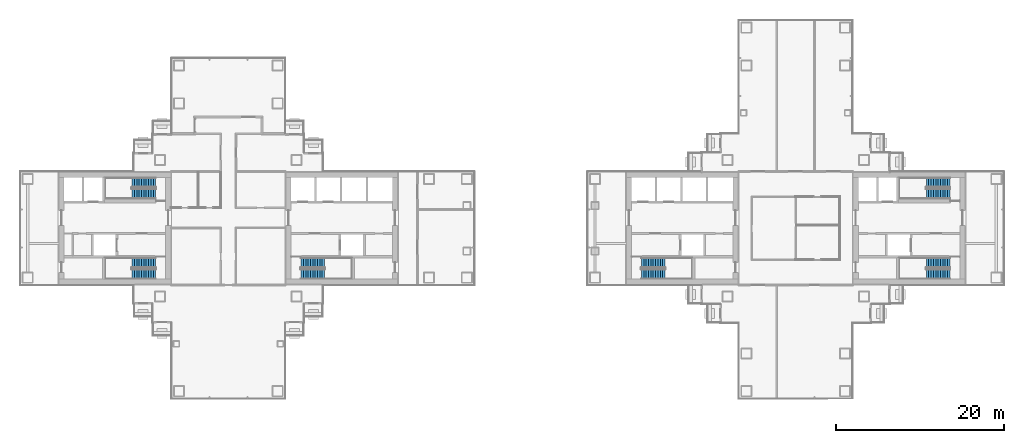
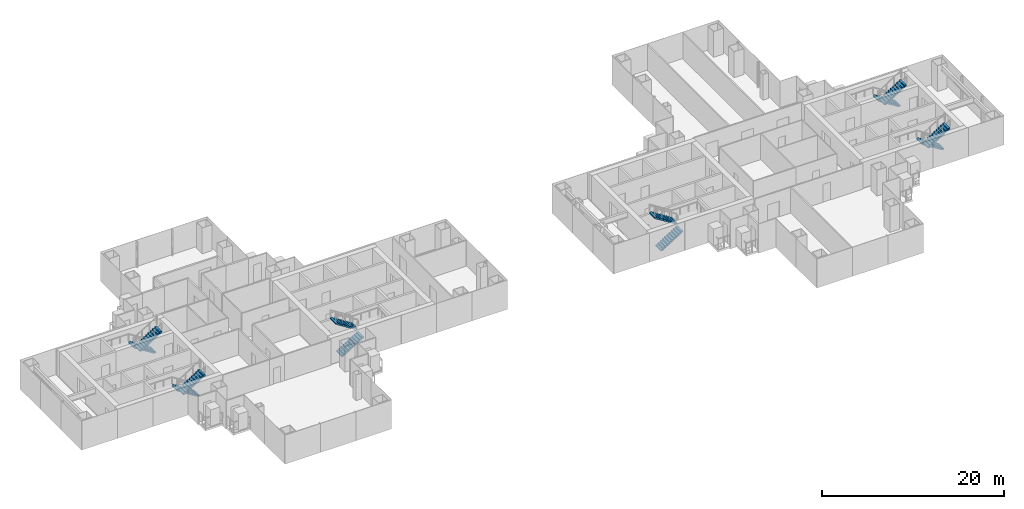
# One storey, part 17 of 20: 12 stair flights, 6 elements without a shape of their own.
"""IFC4 building model written with IfcOpenShell, lengths in metres."""

from ifc_helpers import new_model, si_unit, direction, frame, origin, place, context, subcontext, project, spatial, polyline, outline, extrude, material, type_object, element, aggregate, save


model = new_model("IFC4")

# Units and contexts
model_context = context("Model", 3, precision=1e-05, world=origin(), true_north=direction((0.0, 1.0)))
body_context = subcontext(model_context, "Body", "Model", "MODEL_VIEW")
ifc_project = project(units=[si_unit("LENGTHUNIT", "METRE"), si_unit("AREAUNIT", "SQUARE_METRE"), si_unit("VOLUMEUNIT", "CUBIC_METRE"), si_unit("PLANEANGLEUNIT", "RADIAN"), si_unit("MASSUNIT", "GRAM", prefix="KILO")], contexts=[model_context])

# Site, building, storey
site_placement = place(None, origin())
site = spatial("IfcSite", under=ifc_project, at=site_placement, CompositionType="ELEMENT")
building_placement = place(site_placement, origin())
building = spatial("IfcBuilding", under=site, at=building_placement, Name="Shamsa Quay Exchange Towers", CompositionType="ELEMENT")
storey_placement = place(building_placement, frame((0.0, 0.0, 124.800048828125)))
storey = spatial("IfcBuildingStorey", under=building, at=storey_placement, Name="L29", CompositionType="ELEMENT", Elevation=124.800048828125)

# Stair, stair flights
ifc_material = material(Name="Concrete C40/50", Category="concrete")
stair_type = type_object("IfcStairType", Name="EXIT STAIR 22 RISERS 177 MM", PredefinedType="HALF_TURN_STAIR", material=ifc_material)
stair_1_placement = place(storey_placement, origin())
stair_1 = element("IfcStair", 1, at=stair_1_placement, inside=storey, type_object=stair_type, Name="L29 Exit stair ST1", PredefinedType="HALF_TURN_STAIR")
stair_flight_type = type_object("IfcStairFlightType", Name="EXIT STAIR FLIGHT 11 RISERS 177 MM", PredefinedType="STRAIGHT", material=ifc_material)
stair_flight_1_placement = place(storey_placement, frame((-25.10009765625, -5.449951171875, 0.0)))
stair_flight_1 = element("IfcStairFlight", 2, at=stair_flight_1_placement, type_object=stair_flight_type, Name="ST1 flight 1", NumberOfRisers=11, NumberOfTreads=10, PredefinedType="STRAIGHT", RiserHeight=0.177272727, TreadLength=0.28, context=body_context, shape_type="SweptSolid", body=[
    extrude(outline(polyline([(0.0, 0.0), (0.0, 0.17724609375), (0.280029296875, 0.17724609375), (0.280029296875, 0.3544921875), (0.56005859375, 0.3544921875), (0.56005859375, 0.53173828125), (0.840087890625, 0.53173828125), (0.840087890625, 0.708984375), (1.1201171875, 0.708984375), (1.1201171875, 0.886474609375), (1.39990234375, 0.886474609375), (1.39990234375, 1.063720703125), (1.679931640625, 1.063720703125), (1.679931640625, 1.240966796875), (1.9599609375, 1.240966796875), (1.9599609375, 1.418212890625), (2.239990234375, 1.418212890625), (2.239990234375, 1.595458984375), (2.52001953125, 1.595458984375), (2.52001953125, 1.772705078125), (2.800048828125, 1.772705078125), (2.800048828125, 1.949951171875), (2.800048828125, 1.607177734375), (0.261474609375, 0.0), (0.0, 0.0)])), frame((0.0, 0.60009765625, 0.0), z_axis=(0.0, -1.0, 0.0), x_axis=(1.0, 0.0, 0.0)), (0.0, 0.0, 1.0), 1.199951171875),
])
stair_flight_2_placement = place(storey_placement, frame((-22.300048828125, -4.10009765625, 1.949951171875), z_axis=(0.0, 0.0, 1.0), x_axis=(-1.0, 0.0, 0.0)))
stair_flight_2 = element("IfcStairFlight", 3, at=stair_flight_2_placement, type_object=stair_flight_type, Name="ST1 flight 2", NumberOfRisers=11, NumberOfTreads=10, PredefinedType="STRAIGHT", RiserHeight=0.177272727, TreadLength=0.28, context=body_context, shape_type="SweptSolid", body=[
    extrude(outline(polyline([(0.0, 0.0), (0.0, 0.17724609375), (0.280029296875, 0.17724609375), (0.280029296875, 0.3544921875), (0.56005859375, 0.3544921875), (0.56005859375, 0.53173828125), (0.840087890625, 0.53173828125), (0.840087890625, 0.708984375), (1.1201171875, 0.708984375), (1.1201171875, 0.886474609375), (1.39990234375, 0.886474609375), (1.39990234375, 1.063720703125), (1.679931640625, 1.063720703125), (1.679931640625, 1.240966796875), (1.9599609375, 1.240966796875), (1.9599609375, 1.418212890625), (2.239990234375, 1.418212890625), (2.239990234375, 1.595458984375), (2.52001953125, 1.595458984375), (2.52001953125, 1.772705078125), (2.800048828125, 1.772705078125), (2.800048828125, 1.949951171875), (2.800048828125, 1.607177734375), (0.261474609375, 0.0), (0.0, 0.0)])), frame((0.0, 0.60009765625, 0.0), z_axis=(0.0, -1.0, 0.0), x_axis=(1.0, 0.0, 0.0)), (0.0, 0.0, 1.0), 1.199951171875),
])
aggregate(stair_1, [stair_flight_1, stair_flight_2])

stair_2_placement = place(storey_placement, origin())
stair_2 = element("IfcStair", 4, at=stair_2_placement, inside=storey, type_object=stair_type, Name="L29 Exit stair ST2", PredefinedType="HALF_TURN_STAIR")
stair_flight_3_placement = place(storey_placement, frame((-42.39990234375, -4.10009765625, 0.0), z_axis=(0.0, 0.0, 1.0), x_axis=(-1.0, 0.0, 0.0)))
stair_flight_3 = element("IfcStairFlight", 5, at=stair_flight_3_placement, type_object=stair_flight_type, Name="ST2 flight 1", NumberOfRisers=11, NumberOfTreads=10, PredefinedType="STRAIGHT", RiserHeight=0.177272727, TreadLength=0.28, context=body_context, shape_type="SweptSolid", body=[
    extrude(outline(polyline([(0.0, 0.0), (0.0, 0.17724609375), (0.280029296875, 0.17724609375), (0.280029296875, 0.3544921875), (0.56005859375, 0.3544921875), (0.56005859375, 0.53173828125), (0.840087890625, 0.53173828125), (0.840087890625, 0.708984375), (1.1201171875, 0.708984375), (1.1201171875, 0.886474609375), (1.39990234375, 0.886474609375), (1.39990234375, 1.063720703125), (1.679931640625, 1.063720703125), (1.679931640625, 1.240966796875), (1.9599609375, 1.240966796875), (1.9599609375, 1.418212890625), (2.239990234375, 1.418212890625), (2.239990234375, 1.595458984375), (2.52001953125, 1.595458984375), (2.52001953125, 1.772705078125), (2.800048828125, 1.772705078125), (2.800048828125, 1.949951171875), (2.800048828125, 1.607177734375), (0.261474609375, 0.0), (0.0, 0.0)])), frame((0.0, 0.60009765625, 0.0), z_axis=(0.0, -1.0, 0.0), x_axis=(1.0, 0.0, 0.0)), (0.0, 0.0, 1.0), 1.199951171875),
])
stair_flight_4_placement = place(storey_placement, frame((-45.199951171875, -5.449951171875, 1.949951171875)))
stair_flight_4 = element("IfcStairFlight", 6, at=stair_flight_4_placement, type_object=stair_flight_type, Name="ST2 flight 2", NumberOfRisers=11, NumberOfTreads=10, PredefinedType="STRAIGHT", RiserHeight=0.177272727, TreadLength=0.28, context=body_context, shape_type="SweptSolid", body=[
    extrude(outline(polyline([(0.0, 0.0), (0.0, 0.17724609375), (0.280029296875, 0.17724609375), (0.280029296875, 0.3544921875), (0.56005859375, 0.3544921875), (0.56005859375, 0.53173828125), (0.840087890625, 0.53173828125), (0.840087890625, 0.708984375), (1.1201171875, 0.708984375), (1.1201171875, 0.886474609375), (1.39990234375, 0.886474609375), (1.39990234375, 1.063720703125), (1.679931640625, 1.063720703125), (1.679931640625, 1.240966796875), (1.9599609375, 1.240966796875), (1.9599609375, 1.418212890625), (2.239990234375, 1.418212890625), (2.239990234375, 1.595458984375), (2.52001953125, 1.595458984375), (2.52001953125, 1.772705078125), (2.800048828125, 1.772705078125), (2.800048828125, 1.949951171875), (2.800048828125, 1.607177734375), (0.261474609375, 0.0), (0.0, 0.0)])), frame((0.0, 0.60009765625, 0.0), z_axis=(0.0, -1.0, 0.0), x_axis=(1.0, 0.0, 0.0)), (0.0, 0.0, 1.0), 1.199951171875),
])
aggregate(stair_2, [stair_flight_3, stair_flight_4])

stair_3_placement = place(storey_placement, origin())
stair_3 = element("IfcStair", 7, at=stair_3_placement, inside=storey, type_object=stair_type, Name="L29 Exit stair ST3", PredefinedType="HALF_TURN_STAIR")
stair_flight_5_placement = place(storey_placement, frame((-42.39990234375, 5.449951171875, 0.0), z_axis=(0.0, 0.0, 1.0), x_axis=(-1.0, 0.0, 0.0)))
stair_flight_5 = element("IfcStairFlight", 8, at=stair_flight_5_placement, type_object=stair_flight_type, Name="ST3 flight 1", NumberOfRisers=11, NumberOfTreads=10, PredefinedType="STRAIGHT", RiserHeight=0.177272727, TreadLength=0.28, context=body_context, shape_type="SweptSolid", body=[
    extrude(outline(polyline([(0.0, 0.0), (0.0, 0.17724609375), (0.280029296875, 0.17724609375), (0.280029296875, 0.3544921875), (0.56005859375, 0.3544921875), (0.56005859375, 0.53173828125), (0.840087890625, 0.53173828125), (0.840087890625, 0.708984375), (1.1201171875, 0.708984375), (1.1201171875, 0.886474609375), (1.39990234375, 0.886474609375), (1.39990234375, 1.063720703125), (1.679931640625, 1.063720703125), (1.679931640625, 1.240966796875), (1.9599609375, 1.240966796875), (1.9599609375, 1.418212890625), (2.239990234375, 1.418212890625), (2.239990234375, 1.595458984375), (2.52001953125, 1.595458984375), (2.52001953125, 1.772705078125), (2.800048828125, 1.772705078125), (2.800048828125, 1.949951171875), (2.800048828125, 1.607177734375), (0.261474609375, 0.0), (0.0, 0.0)])), frame((0.0, 0.60009765625, 0.0), z_axis=(0.0, -1.0, 0.0), x_axis=(1.0, 0.0, 0.0)), (0.0, 0.0, 1.0), 1.199951171875),
])
stair_flight_6_placement = place(storey_placement, frame((-45.199951171875, 4.10009765625, 1.949951171875)))
stair_flight_6 = element("IfcStairFlight", 9, at=stair_flight_6_placement, type_object=stair_flight_type, Name="ST3 flight 2", NumberOfRisers=11, NumberOfTreads=10, PredefinedType="STRAIGHT", RiserHeight=0.177272727, TreadLength=0.28, context=body_context, shape_type="SweptSolid", body=[
    extrude(outline(polyline([(0.0, 0.0), (0.0, 0.17724609375), (0.280029296875, 0.17724609375), (0.280029296875, 0.3544921875), (0.56005859375, 0.3544921875), (0.56005859375, 0.53173828125), (0.840087890625, 0.53173828125), (0.840087890625, 0.708984375), (1.1201171875, 0.708984375), (1.1201171875, 0.886474609375), (1.39990234375, 0.886474609375), (1.39990234375, 1.063720703125), (1.679931640625, 1.063720703125), (1.679931640625, 1.240966796875), (1.9599609375, 1.240966796875), (1.9599609375, 1.418212890625), (2.239990234375, 1.418212890625), (2.239990234375, 1.595458984375), (2.52001953125, 1.595458984375), (2.52001953125, 1.772705078125), (2.800048828125, 1.772705078125), (2.800048828125, 1.949951171875), (2.800048828125, 1.607177734375), (0.261474609375, 0.0), (0.0, 0.0)])), frame((0.0, 0.60009765625, 0.0), z_axis=(0.0, -1.0, 0.0), x_axis=(1.0, 0.0, 0.0)), (0.0, 0.0, 1.0), 1.199951171875),
])
aggregate(stair_3, [stair_flight_5, stair_flight_6])

stair_4_placement = place(storey_placement, origin())
stair_4 = element("IfcStair", 10, at=stair_4_placement, inside=storey, type_object=stair_type, Name="L29 Exit stair ST4", PredefinedType="HALF_TURN_STAIR")
stair_flight_7_placement = place(storey_placement, frame((15.39990234375, -5.449951171875, 0.0)))
stair_flight_7 = element("IfcStairFlight", 11, at=stair_flight_7_placement, type_object=stair_flight_type, Name="ST4 flight 1", NumberOfRisers=11, NumberOfTreads=10, PredefinedType="STRAIGHT", RiserHeight=0.177272727, TreadLength=0.28, context=body_context, shape_type="SweptSolid", body=[
    extrude(outline(polyline([(0.0, 0.0), (0.0, 0.17724609375), (0.280029296875, 0.17724609375), (0.280029296875, 0.3544921875), (0.56005859375, 0.3544921875), (0.56005859375, 0.53173828125), (0.840087890625, 0.53173828125), (0.840087890625, 0.708984375), (1.1201171875, 0.708984375), (1.1201171875, 0.886474609375), (1.39990234375, 0.886474609375), (1.39990234375, 1.063720703125), (1.679931640625, 1.063720703125), (1.679931640625, 1.240966796875), (1.9599609375, 1.240966796875), (1.9599609375, 1.418212890625), (2.239990234375, 1.418212890625), (2.239990234375, 1.595458984375), (2.52001953125, 1.595458984375), (2.52001953125, 1.772705078125), (2.800048828125, 1.772705078125), (2.800048828125, 1.949951171875), (2.800048828125, 1.607177734375), (0.261474609375, 0.0), (0.0, 0.0)])), frame((0.0, 0.60009765625, 0.0), z_axis=(0.0, -1.0, 0.0), x_axis=(1.0, 0.0, 0.0)), (0.0, 0.0, 1.0), 1.199951171875),
])
stair_flight_8_placement = place(storey_placement, frame((18.199951171875, -4.10009765625, 1.949951171875), z_axis=(0.0, 0.0, 1.0), x_axis=(-1.0, 0.0, 0.0)))
stair_flight_8 = element("IfcStairFlight", 12, at=stair_flight_8_placement, type_object=stair_flight_type, Name="ST4 flight 2", NumberOfRisers=11, NumberOfTreads=10, PredefinedType="STRAIGHT", RiserHeight=0.177272727, TreadLength=0.28, context=body_context, shape_type="SweptSolid", body=[
    extrude(outline(polyline([(0.0, 0.0), (0.0, 0.17724609375), (0.280029296875, 0.17724609375), (0.280029296875, 0.3544921875), (0.56005859375, 0.3544921875), (0.56005859375, 0.53173828125), (0.840087890625, 0.53173828125), (0.840087890625, 0.708984375), (1.1201171875, 0.708984375), (1.1201171875, 0.886474609375), (1.39990234375, 0.886474609375), (1.39990234375, 1.063720703125), (1.679931640625, 1.063720703125), (1.679931640625, 1.240966796875), (1.9599609375, 1.240966796875), (1.9599609375, 1.418212890625), (2.239990234375, 1.418212890625), (2.239990234375, 1.595458984375), (2.52001953125, 1.595458984375), (2.52001953125, 1.772705078125), (2.800048828125, 1.772705078125), (2.800048828125, 1.949951171875), (2.800048828125, 1.607177734375), (0.261474609375, 0.0), (0.0, 0.0)])), frame((0.0, 0.60009765625, 0.0), z_axis=(0.0, -1.0, 0.0), x_axis=(1.0, 0.0, 0.0)), (0.0, 0.0, 1.0), 1.199951171875),
])
aggregate(stair_4, [stair_flight_7, stair_flight_8])

stair_5_placement = place(storey_placement, origin())
stair_5 = element("IfcStair", 13, at=stair_5_placement, inside=storey, type_object=stair_type, Name="L29 Exit stair ST5", PredefinedType="HALF_TURN_STAIR")
stair_flight_9_placement = place(storey_placement, frame((52.10009765625, -4.10009765625, 0.0), z_axis=(0.0, 0.0, 1.0), x_axis=(-1.0, 0.0, 0.0)))
stair_flight_9 = element("IfcStairFlight", 14, at=stair_flight_9_placement, type_object=stair_flight_type, Name="ST5 flight 1", NumberOfRisers=11, NumberOfTreads=10, PredefinedType="STRAIGHT", RiserHeight=0.177272727, TreadLength=0.28, context=body_context, shape_type="SweptSolid", body=[
    extrude(outline(polyline([(0.0, 0.0), (0.0, 0.17724609375), (0.280029296875, 0.17724609375), (0.280029296875, 0.3544921875), (0.56005859375, 0.3544921875), (0.56005859375, 0.53173828125), (0.840087890625, 0.53173828125), (0.840087890625, 0.708984375), (1.1201171875, 0.708984375), (1.1201171875, 0.886474609375), (1.39990234375, 0.886474609375), (1.39990234375, 1.063720703125), (1.679931640625, 1.063720703125), (1.679931640625, 1.240966796875), (1.9599609375, 1.240966796875), (1.9599609375, 1.418212890625), (2.239990234375, 1.418212890625), (2.239990234375, 1.595458984375), (2.52001953125, 1.595458984375), (2.52001953125, 1.772705078125), (2.800048828125, 1.772705078125), (2.800048828125, 1.949951171875), (2.800048828125, 1.607177734375), (0.261474609375, 0.0), (0.0, 0.0)])), frame((0.0, 0.60009765625, 0.0), z_axis=(0.0, -1.0, 0.0), x_axis=(1.0, 0.0, 0.0)), (0.0, 0.0, 1.0), 1.199951171875),
])
stair_flight_10_placement = place(storey_placement, frame((49.300048828125, -5.449951171875, 1.949951171875)))
stair_flight_10 = element("IfcStairFlight", 15, at=stair_flight_10_placement, type_object=stair_flight_type, Name="ST5 flight 2", NumberOfRisers=11, NumberOfTreads=10, PredefinedType="STRAIGHT", RiserHeight=0.177272727, TreadLength=0.28, context=body_context, shape_type="SweptSolid", body=[
    extrude(outline(polyline([(0.0, 0.0), (0.0, 0.17724609375), (0.280029296875, 0.17724609375), (0.280029296875, 0.3544921875), (0.56005859375, 0.3544921875), (0.56005859375, 0.53173828125), (0.840087890625, 0.53173828125), (0.840087890625, 0.708984375), (1.1201171875, 0.708984375), (1.1201171875, 0.886474609375), (1.39990234375, 0.886474609375), (1.39990234375, 1.063720703125), (1.679931640625, 1.063720703125), (1.679931640625, 1.240966796875), (1.9599609375, 1.240966796875), (1.9599609375, 1.418212890625), (2.239990234375, 1.418212890625), (2.239990234375, 1.595458984375), (2.52001953125, 1.595458984375), (2.52001953125, 1.772705078125), (2.800048828125, 1.772705078125), (2.800048828125, 1.949951171875), (2.800048828125, 1.607177734375), (0.261474609375, 0.0), (0.0, 0.0)])), frame((0.0, 0.60009765625, 0.0), z_axis=(0.0, -1.0, 0.0), x_axis=(1.0, 0.0, 0.0)), (0.0, 0.0, 1.0), 1.199951171875),
])
aggregate(stair_5, [stair_flight_9, stair_flight_10])

stair_6_placement = place(storey_placement, origin())
stair_6 = element("IfcStair", 16, at=stair_6_placement, inside=storey, type_object=stair_type, Name="L29 Exit stair ST6", PredefinedType="HALF_TURN_STAIR")
stair_flight_11_placement = place(storey_placement, frame((52.10009765625, 5.449951171875, 0.0), z_axis=(0.0, 0.0, 1.0), x_axis=(-1.0, 0.0, 0.0)))
stair_flight_11 = element("IfcStairFlight", 17, at=stair_flight_11_placement, type_object=stair_flight_type, Name="ST6 flight 1", NumberOfRisers=11, NumberOfTreads=10, PredefinedType="STRAIGHT", RiserHeight=0.177272727, TreadLength=0.28, context=body_context, shape_type="SweptSolid", body=[
    extrude(outline(polyline([(0.0, 0.0), (0.0, 0.17724609375), (0.280029296875, 0.17724609375), (0.280029296875, 0.3544921875), (0.56005859375, 0.3544921875), (0.56005859375, 0.53173828125), (0.840087890625, 0.53173828125), (0.840087890625, 0.708984375), (1.1201171875, 0.708984375), (1.1201171875, 0.886474609375), (1.39990234375, 0.886474609375), (1.39990234375, 1.063720703125), (1.679931640625, 1.063720703125), (1.679931640625, 1.240966796875), (1.9599609375, 1.240966796875), (1.9599609375, 1.418212890625), (2.239990234375, 1.418212890625), (2.239990234375, 1.595458984375), (2.52001953125, 1.595458984375), (2.52001953125, 1.772705078125), (2.800048828125, 1.772705078125), (2.800048828125, 1.949951171875), (2.800048828125, 1.607177734375), (0.261474609375, 0.0), (0.0, 0.0)])), frame((0.0, 0.60009765625, 0.0), z_axis=(0.0, -1.0, 0.0), x_axis=(1.0, 0.0, 0.0)), (0.0, 0.0, 1.0), 1.199951171875),
])
stair_flight_12_placement = place(storey_placement, frame((49.300048828125, 4.10009765625, 1.949951171875)))
stair_flight_12 = element("IfcStairFlight", 18, at=stair_flight_12_placement, type_object=stair_flight_type, Name="ST6 flight 2", NumberOfRisers=11, NumberOfTreads=10, PredefinedType="STRAIGHT", RiserHeight=0.177272727, TreadLength=0.28, context=body_context, shape_type="SweptSolid", body=[
    extrude(outline(polyline([(0.0, 0.0), (0.0, 0.17724609375), (0.280029296875, 0.17724609375), (0.280029296875, 0.3544921875), (0.56005859375, 0.3544921875), (0.56005859375, 0.53173828125), (0.840087890625, 0.53173828125), (0.840087890625, 0.708984375), (1.1201171875, 0.708984375), (1.1201171875, 0.886474609375), (1.39990234375, 0.886474609375), (1.39990234375, 1.063720703125), (1.679931640625, 1.063720703125), (1.679931640625, 1.240966796875), (1.9599609375, 1.240966796875), (1.9599609375, 1.418212890625), (2.239990234375, 1.418212890625), (2.239990234375, 1.595458984375), (2.52001953125, 1.595458984375), (2.52001953125, 1.772705078125), (2.800048828125, 1.772705078125), (2.800048828125, 1.949951171875), (2.800048828125, 1.607177734375), (0.261474609375, 0.0), (0.0, 0.0)])), frame((0.0, 0.60009765625, 0.0), z_axis=(0.0, -1.0, 0.0), x_axis=(1.0, 0.0, 0.0)), (0.0, 0.0, 1.0), 1.199951171875),
])
aggregate(stair_6, [stair_flight_11, stair_flight_12])

save(model, "model.ifc")
